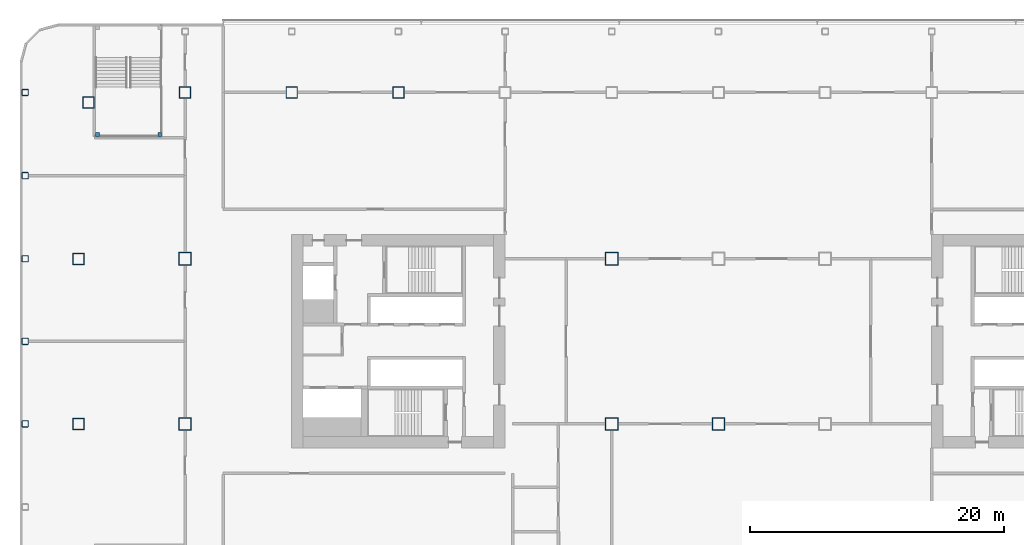
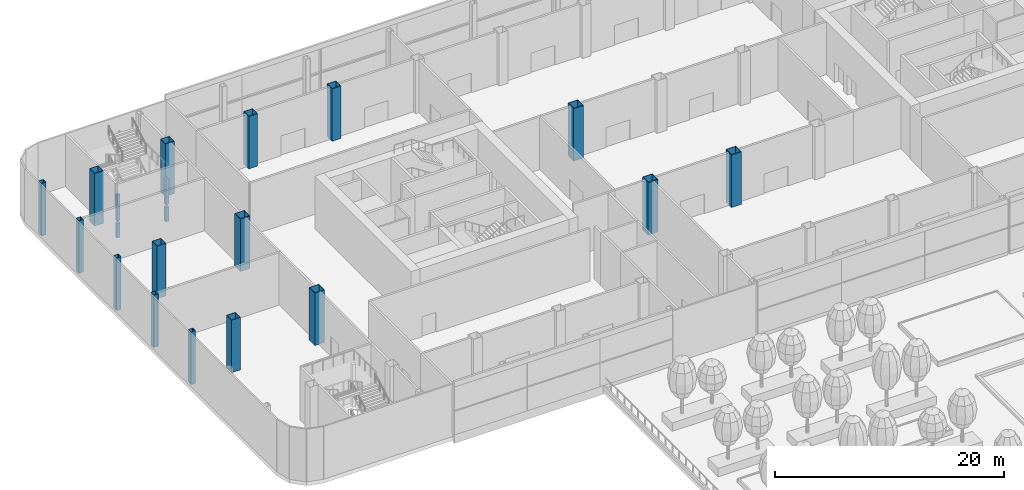
# One storey, part 3 of 100: 20 columns.
"""IFC4 building model written with IfcOpenShell, lengths in metres."""

from ifc_helpers import new_model, si_unit, direction, frame, origin, origin_2d, place, context, subcontext, project, spatial, rectangle, hollow_rectangle, extrude, material, material_profile, profile_set, type_object, element, save


model = new_model("IFC4")

# Units and contexts
model_context = context("Model", 3, precision=1e-05, world=origin(), true_north=direction((0.0, 1.0)))
body_context = subcontext(model_context, "Body", "Model", "MODEL_VIEW")
ifc_project = project(units=[si_unit("LENGTHUNIT", "METRE"), si_unit("AREAUNIT", "SQUARE_METRE"), si_unit("VOLUMEUNIT", "CUBIC_METRE"), si_unit("PLANEANGLEUNIT", "RADIAN"), si_unit("MASSUNIT", "GRAM", prefix="KILO")], contexts=[model_context])

# Site, building, storey
site_placement = place(None, origin())
site = spatial("IfcSite", under=ifc_project, at=site_placement, CompositionType="ELEMENT")
building_placement = place(site_placement, origin())
building = spatial("IfcBuilding", under=site, at=building_placement, Name="Hakoniwa Tower and Hamabe Station Hall", CompositionType="ELEMENT")
storey_placement = place(building_placement, frame((0.0, 0.0, 9.0)))
storey = spatial("IfcBuildingStorey", under=building, at=storey_placement, Name="L02", CompositionType="ELEMENT", Elevation=9.0)

# Columns
ifc_material_1 = material(Name="Steel BCR295", Category="steel")
ifc_material_profile_1 = material_profile(ifc_material_1, hollow_rectangle(XDim=0.5, YDim=0.5, WallThickness=0.01904296875, InnerFilletRadius=0.028564453125, OuterFilletRadius=0.047607421875, at=origin_2d()), Name="BCR-500x500x19")
ifc_profile_set_1 = profile_set([ifc_material_profile_1], Name="Steel BCR295")
column_type_1 = type_object("IfcColumnType", Name="COLUMN BCR-500x500x19", PredefinedType="COLUMN", material=ifc_profile_set_1)
for number, where, z_axis, x_axis, name in (
    (1, (-54.60009765625, -6.5, 0.0), (0.0, 0.0, 1.0), (1.0, 0.0, 0.0), "Column P-RW-C1"),
    (2, (-54.60009765625, 0.0, 0.0), (0.0, 0.0, 1.0), (1.0, 0.0, 0.0), "Column P-RW-D1"),
    (3, (-54.60009765625, 6.5, 0.0), (0.0, 0.0, 1.0), (1.0, 0.0, 0.0), "Column P-RW-E1"),
    (4, (-54.60009765625, 13.050048828125, 0.0), (0.0, 0.0, 1.0), (1.0, 0.0, 0.0), "Column P-RW-F1"),
    (5, (-54.60009765625, 19.60009765625, 0.0), (0.0, 0.0, 1.0), (1.0, 0.0, 0.0), "Column P-RW-G1"),
):
    element("IfcColumn", number, at=place(storey_placement, frame(where, z_axis=z_axis, x_axis=x_axis)), inside=storey, type_object=column_type_1, Name=name, PredefinedType="COLUMN", context=body_context, shape_type="SweptSolid", body=[
        extrude(hollow_rectangle(XDim=0.5, YDim=0.5, WallThickness=0.01904296875, InnerFilletRadius=0.028564453125, OuterFilletRadius=0.047607421875, at=origin_2d()), origin(), (0.0, 0.0, 1.0), 5.60009765625),
    ])
ifc_material_2 = material(Name="Steel SN490C", Category="steel")
ifc_material_profile_2 = material_profile(ifc_material_2, hollow_rectangle(XDim=1.0, YDim=1.0, WallThickness=0.0400390625, at=origin_2d()), Name="BX-1000x1000x40")
ifc_profile_set_2 = profile_set([ifc_material_profile_2], Name="Steel SN490C")
column_type_2 = type_object("IfcColumnType", Name="COLUMN BX-1000x1000x40", PredefinedType="COLUMN", material=ifc_profile_set_2)
for number, where, z_axis, x_axis, name in (
    (6, (-42.0, -6.5, 0.0), (0.0, 0.0, 1.0), (1.0, 0.0, 0.0), "Column P-2-C1"),
    (7, (-42.0, 6.5, 0.0), (0.0, 0.0, 1.0), (1.0, 0.0, 0.0), "Column P-2-E1"),
    (8, (-8.39990234375, -6.5, 0.0), (0.0, 0.0, 1.0), (1.0, 0.0, 0.0), "Column P-6-C1"),
    (9, (-8.39990234375, 6.5, 0.0), (0.0, 0.0, 1.0), (1.0, 0.0, 0.0), "Column P-6-E1"),
    (10, (0.0, -6.5, 0.0), (0.0, 0.0, 1.0), (1.0, 0.0, 0.0), "Column P-7-C1"),
):
    element("IfcColumn", number, at=place(storey_placement, frame(where, z_axis=z_axis, x_axis=x_axis)), inside=storey, type_object=column_type_2, Name=name, PredefinedType="COLUMN", context=body_context, shape_type="SweptSolid", body=[
        extrude(hollow_rectangle(XDim=1.0, YDim=1.0, WallThickness=0.0400390625, at=origin_2d()), origin(), (0.0, 0.0, 1.0), 5.60009765625),
    ])
ifc_material_3 = material(Name="Steel SN490C", Category="steel")
ifc_material_profile_3 = material_profile(ifc_material_3, hollow_rectangle(XDim=0.89990234375, YDim=0.89990234375, WallThickness=0.035888671875, at=origin_2d()), Name="BX-900x900x36")
ifc_profile_set_3 = profile_set([ifc_material_profile_3], Name="Steel SN490C")
column_type_3 = type_object("IfcColumnType", Name="COLUMN BX-900x900x36", PredefinedType="COLUMN", material=ifc_profile_set_3)
for number, where, z_axis, x_axis, name in (
    (11, (-50.39990234375, -6.5, 0.0), (0.0, 0.0, 1.0), (1.0, 0.0, 0.0), "Column P-1-C1"),
    (12, (-50.39990234375, 6.5, 0.0), (0.0, 0.0, 1.0), (1.0, 0.0, 0.0), "Column P-1-E1"),
    (13, (-49.60302734375, 18.802978515625, 0.0), (0.0, 0.0, 1.0), (1.0, 0.0, 0.0), "Column P-1-G1"),
    (14, (-42.0, 19.60009765625, 0.0), (0.0, 0.0, 1.0), (1.0, 0.0, 0.0), "Column P-2-G1"),
    (15, (-33.60009765625, 19.60009765625, 0.0), (0.0, 0.0, 1.0), (1.0, 0.0, 0.0), "Column P-3-G1"),
    (16, (-25.199951171875, 19.60009765625, 0.0), (0.0, 0.0, 1.0), (1.0, 0.0, 0.0), "Column P-4-G1"),
):
    element("IfcColumn", number, at=place(storey_placement, frame(where, z_axis=z_axis, x_axis=x_axis)), inside=storey, type_object=column_type_3, Name=name, PredefinedType="COLUMN", context=body_context, shape_type="SweptSolid", body=[
        extrude(hollow_rectangle(XDim=0.89990234375, YDim=0.89990234375, WallThickness=0.035888671875, at=origin_2d()), origin(), (0.0, 0.0, 1.0), 5.60009765625),
    ])
ifc_material_4 = material(Name="Concrete C40", Category="concrete")
ifc_material_profile_4 = material_profile(ifc_material_4, rectangle(XDim=0.300048828125, YDim=0.300048828125, at=origin_2d()), Name="STAIR LANDING POST 300X300")
ifc_profile_set_4 = profile_set([ifc_material_profile_4], Name="Concrete C40")
column_type_4 = type_object("IfcColumnType", Name="STAIR LANDING POST 300X300", PredefinedType="COLUMN", material=ifc_profile_set_4)
for number, where, z_axis, x_axis, name in (
    (17, (-48.89990234375, 16.300048828125, -0.300048828125), (0.0, 0.0, 1.0), (1.0, 0.0, 0.0), "Landing post PS1 2a first floor"),
    (18, (-44.0, 16.300048828125, -0.300048828125), (0.0, 0.0, 1.0), (1.0, 0.0, 0.0), "Landing post PS1 2b first floor"),
):
    element("IfcColumn", number, at=place(storey_placement, frame(where, z_axis=z_axis, x_axis=x_axis)), inside=storey, type_object=column_type_4, Name=name, PredefinedType="COLUMN", context=body_context, shape_type="SweptSolid", body=[
        extrude(rectangle(XDim=0.300048828125, YDim=0.300048828125, at=origin_2d()), origin(), (0.0, 0.0, 1.0), 1.550048828125),
    ])
for number, where, z_axis, x_axis, name in (
    (19, (-48.89990234375, 16.300048828125, 1.5), (0.0, 0.0, 1.0), (1.0, 0.0, 0.0), "Landing post PS1 2a"),
    (20, (-44.0, 16.300048828125, 1.5), (0.0, 0.0, 1.0), (1.0, 0.0, 0.0), "Landing post PS1 2b"),
):
    element("IfcColumn", number, at=place(storey_placement, frame(where, z_axis=z_axis, x_axis=x_axis)), inside=storey, type_object=column_type_4, Name=name, PredefinedType="COLUMN", context=body_context, shape_type="SweptSolid", body=[
        extrude(rectangle(XDim=0.300048828125, YDim=0.300048828125, at=origin_2d()), origin(), (0.0, 0.0, 1.0), 2.75),
    ])

save(model, "model.ifc")
